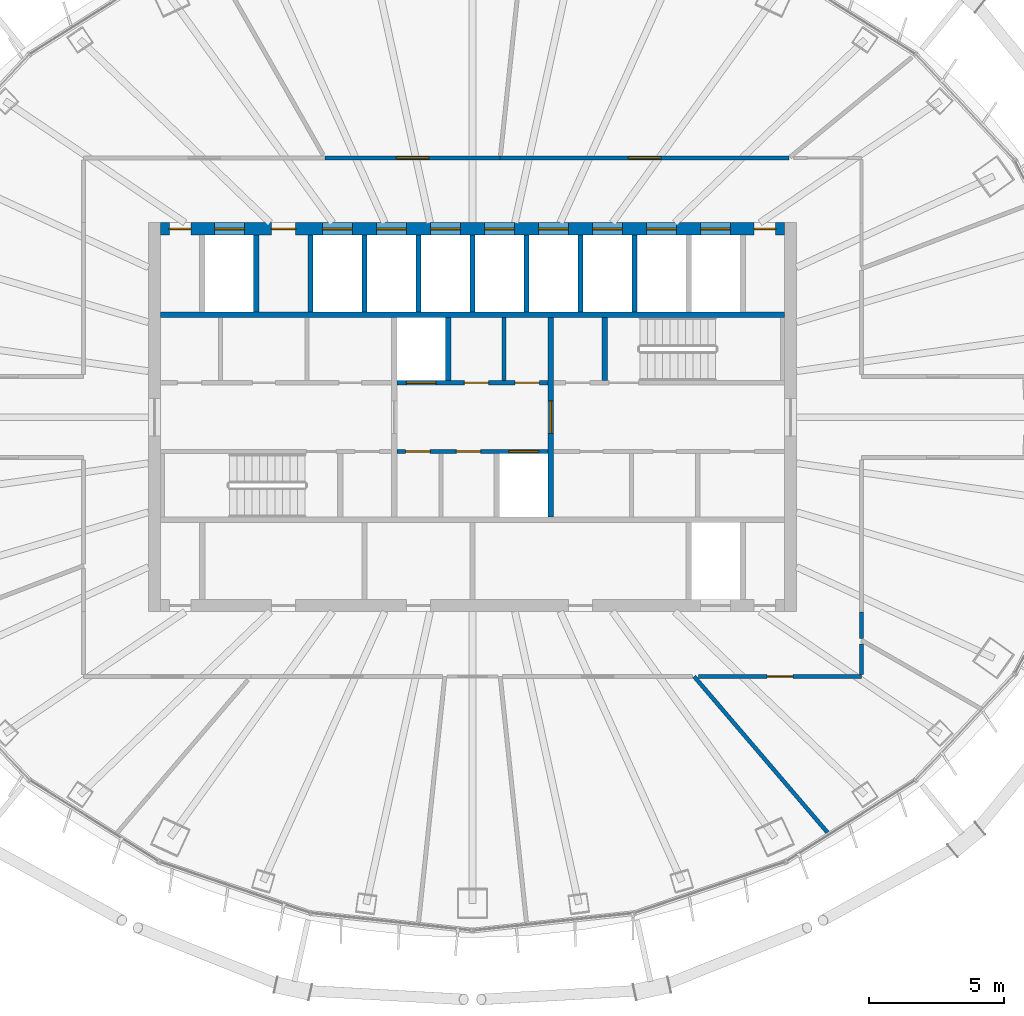
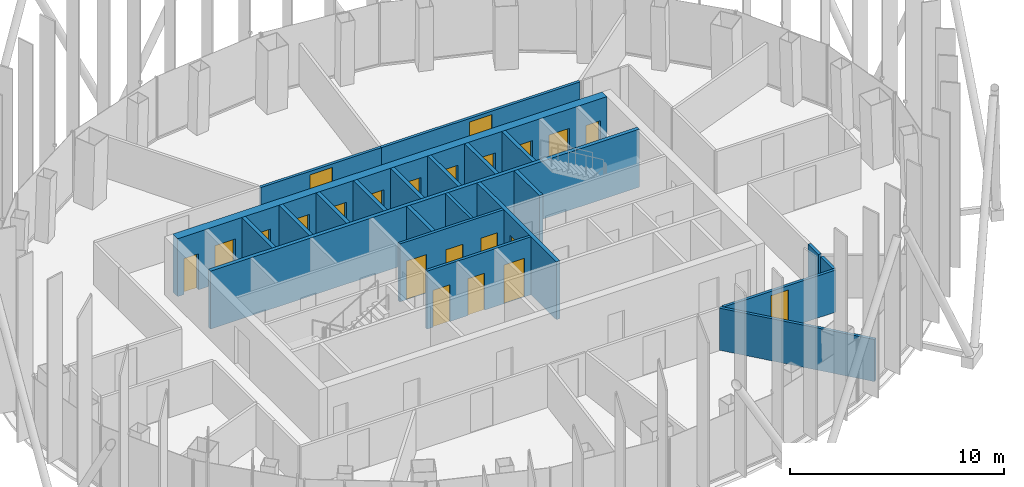
# One storey, part 11 of 19: 22 doors, 22 walls, 22 openings.
"""IFC4 building model written with IfcOpenShell, lengths in metres."""

import ifcopenshell
import ifcopenshell.guid

model = None  # the IFC model being written
_history = None  # IfcOwnerHistory: only IFC2X3 demands one
_inside = {}  # id of a spatial element -> (the spatial element, [elements in it])
_under = {}  # id of a project, library or spatial element -> (it, [spatial elements below it])
_declared = {}  # id of a project -> (the project, [libraries it declares])
_typed = {}  # id of a type object -> (the type object, [elements of that type])
_made_of = {}  # id of a material, layer set ... -> (it, [elements and type objects made of it])


def new_model(schema):
    """Start an empty IFC model of exactly this schema.

    Asked for "IFC4X3", IfcOpenShell would pick the latest addendum, in which some entities
    have other attributes; the version numbers below select the first issue.
    IFC2X3 requires an IfcOwnerHistory on every rooted entity: one is made here for all.
    """
    global model, _history
    if schema == "IFC4X3":
        model = ifcopenshell.file(schema_version=(4, 3, 0, 0))
    else:
        model = ifcopenshell.file(schema=schema)
    _inside.clear()
    _under.clear()
    _declared.clear()
    _typed.clear()
    _made_of.clear()
    _history = None
    if model.schema == "IFC2X3":
        org = make("IfcOrganization", Name="unknown")
        user = make(
            "IfcPersonAndOrganization",
            ThePerson=make("IfcPerson", FamilyName="unknown"),
            TheOrganization=org,
        )
        app = make(
            "IfcApplication",
            ApplicationDeveloper=org,
            Version="unknown",
            ApplicationFullName="unknown",
            ApplicationIdentifier="unknown",
        )
        _history = make(
            "IfcOwnerHistory",
            OwningUser=user,
            OwningApplication=app,
            ChangeAction="ADDED",
            CreationDate=0,
        )
    return model


def make(cls, **values):
    """One entity of the class cls with the attributes given. An attribute that is None is left unset."""
    return model.create_entity(
        cls, **{name: value for name, value in values.items() if value is not None}
    )


def rooted(cls, **values):
    """An entity with a GlobalId (a new one), such as an element, a storey or a relation."""
    return make(cls, GlobalId=ifcopenshell.guid.new(), OwnerHistory=_history, **values)


def si_unit(unit_type, name, prefix=None):
    """IfcSIUnit, for example si_unit("LENGTHUNIT", "METRE", prefix="MILLI")."""
    return make("IfcSIUnit", UnitType=unit_type, Prefix=prefix, Name=name)


def assignment(units):
    """IfcUnitAssignment: the units of a project."""
    return None if units is None else make("IfcUnitAssignment", Units=units)


def point(xyz):
    """IfcCartesianPoint."""
    return None if xyz is None else make("IfcCartesianPoint", Coordinates=xyz)


def direction(xyz):
    """IfcDirection."""
    return None if xyz is None else make("IfcDirection", DirectionRatios=xyz)


def frame(location, z_axis=None, x_axis=None):
    """IfcAxis2Placement3D, a coordinate frame: its origin and axes. An axis left out is left unset."""
    return make(
        "IfcAxis2Placement3D",
        Location=point(location),
        Axis=direction(z_axis),
        RefDirection=direction(x_axis),
    )


def frame_2d(location, x_axis=None):
    """IfcAxis2Placement2D, a coordinate frame in the plane: its origin and x axis."""
    return make(
        "IfcAxis2Placement2D", Location=point(location), RefDirection=direction(x_axis)
    )


def origin():
    """The frame at (0, 0, 0) with its axes left unset."""
    return frame((0.0, 0.0, 0.0))


def place(relative_to, where):
    """IfcLocalPlacement: puts the frame where relative to a parent placement (None: the world)."""
    return make(
        "IfcLocalPlacement", PlacementRelTo=relative_to, RelativePlacement=where
    )


def context(
    kind, dimensions, precision=None, world=None, true_north=None, identifier=None
):
    """IfcGeometricRepresentationContext, for example the 3D "Model" context."""
    return make(
        "IfcGeometricRepresentationContext",
        ContextIdentifier=identifier,
        ContextType=kind,
        CoordinateSpaceDimension=dimensions,
        Precision=precision,
        WorldCoordinateSystem=world,
        TrueNorth=true_north,
    )


def subcontext(parent, identifier, kind, view, scale=None):
    """IfcGeometricRepresentationSubContext, for example "Body" below "Model"."""
    return make(
        "IfcGeometricRepresentationSubContext",
        ContextIdentifier=identifier,
        ContextType=kind,
        ParentContext=parent,
        TargetScale=scale,
        TargetView=view,
    )


def project(units=None, contexts=None):
    """IfcProject with its units and contexts."""
    return rooted(
        "IfcProject",
        Name="project",
        RepresentationContexts=contexts,
        UnitsInContext=assignment(units),
    )


def spatial(cls, under=None, at=None, **own):
    """A site, building, storey or space (cls), placed at a placement, below another one or the project."""
    s = rooted(cls, ObjectPlacement=at, **own)
    if under is not None:
        _under.setdefault(under.id(), (under, []))[1].append(s)
    return s


def profile(cls, at=None, kind="AREA", **sizes):
    """A parametric profile (cls). Its sizes go by their IFC names, for example OverallWidth=200.0."""
    return make(cls, ProfileType=kind, Position=at, **sizes)


def rectangle(**sizes):
    """IfcRectangleProfileDef."""
    return profile("IfcRectangleProfileDef", **sizes)


def extrude(swept, where, along, depth):
    """IfcExtrudedAreaSolid: the profile swept, set in the frame where, extruded along a direction by depth."""
    return make(
        "IfcExtrudedAreaSolid",
        SweptArea=swept,
        Position=where,
        ExtrudedDirection=direction(along),
        Depth=depth,
    )


def shape(context_of_items, identifier, shape_type, items):
    """IfcShapeRepresentation: the items that make up one representation, for example the "Body"."""
    return make(
        "IfcShapeRepresentation",
        ContextOfItems=context_of_items,
        RepresentationIdentifier=identifier,
        RepresentationType=shape_type,
        Items=items,
    )


def material(Name=None, Category=None):
    """IfcMaterial."""
    return make("IfcMaterial", Name=Name, Category=Category)


def layer(
    of_material, thickness, ventilated=None, Name=None, Category=None, Priority=None
):
    """IfcMaterialLayer: one layer of a wall or slab, of a material (None: an air gap)."""
    return make(
        "IfcMaterialLayer",
        Material=of_material,
        LayerThickness=thickness,
        IsVentilated=ventilated,
        Name=Name,
        Category=Category,
        Priority=Priority,
    )


def layer_set(layers, Name=None):
    """IfcMaterialLayerSet."""
    return make("IfcMaterialLayerSet", MaterialLayers=layers, LayerSetName=Name)


def made_of(thing, what):
    """Note that an element or type object is made of a material, layer set ...; save() writes the relation."""
    if what is not None:
        _made_of.setdefault(what.id(), (what, []))[1].append(thing)
    return thing


def type_object(cls, material=None, **own):
    """A type object (cls), such as IfcWallType, which elements share."""
    return made_of(rooted(cls, **own), material)


def element(
    cls,
    number,
    at=None,
    inside=None,
    cuts=None,
    type_object=None,
    material=None,
    context=None,
    identifier="Body",
    shape_type=None,
    held_by="IfcProductDefinitionShape",
    body=None,
    shapes=None,
    **own,
):
    """One element of the class cls, such as IfcWall. Its Tag is "e" and its number.

    at: its placement. inside: the storey or other place that contains it. cuts: it is an
    opening in that element (IfcRelVoidsElement). A single representation is given by context,
    identifier, shape_type and body (its items); several are given by shapes. held_by: the class
    of the entity that holds the representations. save() writes the other relations.
    """
    e = rooted(cls, Tag="e%d" % number, ObjectPlacement=at, **own)
    if body is not None:
        shapes = [shape(context, identifier, shape_type, body)]
    if shapes is not None:
        e.Representation = make(held_by, Representations=shapes)
    if inside is not None:
        _inside.setdefault(inside.id(), (inside, []))[1].append(e)
    if cuts is not None:
        rooted(
            "IfcRelVoidsElement", RelatingBuildingElement=cuts, RelatedOpeningElement=e
        )
    if type_object is not None:
        _typed.setdefault(type_object.id(), (type_object, []))[1].append(e)
    return made_of(e, material)


def fill(opening, filler):
    """IfcRelFillsElement: the door or window that sits in an opening."""
    return rooted(
        "IfcRelFillsElement",
        RelatingOpeningElement=opening,
        RelatedBuildingElement=filler,
    )


def aggregate(whole, parts):
    """IfcRelAggregates: a whole, such as a stair, and the parts it consists of."""
    return rooted("IfcRelAggregates", RelatingObject=whole, RelatedObjects=parts)


def save(model, path):
    """Write the relations noted so far, then the file.

    IfcRelAggregates (storeys below a building ...), IfcRelContainedInSpatialStructure (elements
    in a storey), IfcRelDefinesByType, IfcRelAssociatesMaterial and IfcRelDeclares: one each for
    every whole, place, type object, material and project.
    """
    for whole, parts in _under.values():
        aggregate(whole, parts)
    for where, things in _inside.values():
        rooted(
            "IfcRelContainedInSpatialStructure",
            RelatedElements=things,
            RelatingStructure=where,
        )
    for kind, things in _typed.values():
        rooted("IfcRelDefinesByType", RelatedObjects=things, RelatingType=kind)
    for what, things in _made_of.values():
        rooted("IfcRelAssociatesMaterial", RelatedObjects=things, RelatingMaterial=what)
    for by, libraries in _declared.values():
        rooted("IfcRelDeclares", RelatingContext=by, RelatedDefinitions=libraries)
    model.write(path)


model = new_model("IFC4")

# Units and contexts
model_context = context("Model", 3, precision=1e-05, world=origin(), true_north=direction((0.0, 1.0)))
body_context = subcontext(model_context, "Body", "Model", "MODEL_VIEW")
ifc_project = project(units=[si_unit("LENGTHUNIT", "METRE"), si_unit("AREAUNIT", "SQUARE_METRE"), si_unit("VOLUMEUNIT", "CUBIC_METRE"), si_unit("PLANEANGLEUNIT", "RADIAN"), si_unit("MASSUNIT", "GRAM", prefix="KILO")], contexts=[model_context])

# Site, building, storey
site_placement = place(None, origin())
site = spatial("IfcSite", under=ifc_project, at=site_placement, CompositionType="ELEMENT")
building_placement = place(site_placement, origin())
building = spatial("IfcBuilding", under=site, at=building_placement, Name="Siaravel Broadcast Tower", CompositionType="ELEMENT")
storey_placement = place(building_placement, frame((0.0, 0.0, 179.300048828125)))
storey = spatial("IfcBuildingStorey", under=building, at=storey_placement, Name="L43", CompositionType="ELEMENT", Elevation=179.300048828125)

# Wall
ifc_material_1 = material(Name="Concrete blockwork", Category="masonry")
ifc_layer_1 = layer(ifc_material_1, 0.14990234375)
ifc_layer_set_1 = layer_set([ifc_layer_1], Name="Concrete blockwork")
wall_type_1 = type_object("IfcWallType", Name="Core partition 150", PredefinedType="PARTITIONING", material=ifc_layer_set_1)
wall_1_placement = place(storey_placement, frame((1.172607421875, 1.35009765625, 0.0), z_axis=(0.0, 0.0, 1.0), x_axis=(0.0, 1.0, 0.0)))
element("IfcWall", 1, at=wall_1_placement, inside=storey, type_object=wall_type_1, Name="L43 core partition PNM0", PredefinedType="PARTITIONING", context=body_context, shape_type="SweptSolid", body=[
    extrude(rectangle(XDim=2.349853515625, YDim=0.14990234375, at=frame_2d((1.1748046875, 0.0))), origin(), (0.0, 0.0, 1.0), 3.300048828125),
])

# Wall, openings, doors
ifc_material_2 = material(Name="Concrete C60/75", Category="concrete")
ifc_layer_2 = layer(ifc_material_2, 0.449951171875)
ifc_layer_set_2 = layer_set([ifc_layer_2], Name="Concrete C60/75")
wall_type_2 = type_object("IfcWallType", Name="Core wall 450", PredefinedType="SHEAR", material=ifc_layer_set_2)
wall_2_placement = place(storey_placement, frame((-11.550048828125, 6.97509765625, 0.0), z_axis=(0.0, 0.0, 1.0), x_axis=(1.0, 0.0, 0.0)))
wall_2 = element("IfcWall", 2, at=wall_2_placement, inside=storey, type_object=wall_type_2, Name="L43 core wall ON", PredefinedType="SHEAR", context=body_context, shape_type="SweptSolid", body=[
    extrude(rectangle(XDim=23.10009765625, YDim=0.449951171875, at=frame_2d((11.550048828125, 0.0))), origin(), (0.0, 0.0, 1.0), 3.300048828125),
])
opening_1_placement = place(wall_2_placement, frame((2.0, 0.0, 0.0)))
opening_1 = element("IfcOpeningElement", 3, at=opening_1_placement, cuts=wall_2, Name="Opening LD-SV2-L43", PredefinedType="OPENING", context=body_context, shape_type="SweptSolid", body=[
    extrude(rectangle(XDim=1.10009765625, YDim=2.199951171875, at=frame_2d((0.550048828125, 1.10009765625))), frame((0.0, 0.23486328125, 0.0), z_axis=(0.0, -1.0, 0.0), x_axis=(1.0, 0.0, 0.0)), (0.0, 0.0, 1.0), 0.469970703125),
])
opening_2_placement = place(wall_2_placement, frame((6.0, 0.0, 0.0)))
opening_2 = element("IfcOpeningElement", 4, at=opening_2_placement, cuts=wall_2, Name="Opening LD-HP1-L43", PredefinedType="OPENING", context=body_context, shape_type="SweptSolid", body=[
    extrude(rectangle(XDim=1.10009765625, YDim=2.199951171875, at=frame_2d((0.550048828125, 1.10009765625))), frame((0.0, 0.23486328125, 0.0), z_axis=(0.0, -1.0, 0.0), x_axis=(1.0, 0.0, 0.0)), (0.0, 0.0, 1.0), 0.469970703125),
])
opening_3_placement = place(wall_2_placement, frame((8.0, 0.0, 0.0)))
opening_3 = element("IfcOpeningElement", 5, at=opening_3_placement, cuts=wall_2, Name="Opening LD-HP2-L43", PredefinedType="OPENING", context=body_context, shape_type="SweptSolid", body=[
    extrude(rectangle(XDim=1.10009765625, YDim=2.199951171875, at=frame_2d((0.550048828125, 1.10009765625))), frame((0.0, 0.23486328125, 0.0), z_axis=(0.0, -1.0, 0.0), x_axis=(1.0, 0.0, 0.0)), (0.0, 0.0, 1.0), 0.469970703125),
])
opening_4_placement = place(wall_2_placement, frame((10.0, 0.0, 0.0)))
opening_4 = element("IfcOpeningElement", 6, at=opening_4_placement, cuts=wall_2, Name="Opening LD-HP3-L43", PredefinedType="OPENING", context=body_context, shape_type="SweptSolid", body=[
    extrude(rectangle(XDim=1.10009765625, YDim=2.199951171875, at=frame_2d((0.550048828125, 1.10009765625))), frame((0.0, 0.23486328125, 0.0), z_axis=(0.0, -1.0, 0.0), x_axis=(1.0, 0.0, 0.0)), (0.0, 0.0, 1.0), 0.469970703125),
])
opening_5_placement = place(wall_2_placement, frame((12.0, 0.0, 0.0)))
opening_5 = element("IfcOpeningElement", 7, at=opening_5_placement, cuts=wall_2, Name="Opening LD-HP4-L43", PredefinedType="OPENING", context=body_context, shape_type="SweptSolid", body=[
    extrude(rectangle(XDim=1.10009765625, YDim=2.199951171875, at=frame_2d((0.550048828125, 1.10009765625))), frame((0.0, 0.23486328125, 0.0), z_axis=(0.0, -1.0, 0.0), x_axis=(1.0, 0.0, 0.0)), (0.0, 0.0, 1.0), 0.469970703125),
])
opening_6_placement = place(wall_2_placement, frame((14.0, 0.0, 0.0)))
opening_6 = element("IfcOpeningElement", 8, at=opening_6_placement, cuts=wall_2, Name="Opening LD-HP5-L43", PredefinedType="OPENING", context=body_context, shape_type="SweptSolid", body=[
    extrude(rectangle(XDim=1.10009765625, YDim=2.199951171875, at=frame_2d((0.550048828125, 1.10009765625))), frame((0.0, 0.23486328125, 0.0), z_axis=(0.0, -1.0, 0.0), x_axis=(1.0, 0.0, 0.0)), (0.0, 0.0, 1.0), 0.469970703125),
])
opening_7_placement = place(wall_2_placement, frame((16.0, 0.0, 0.0)))
opening_7 = element("IfcOpeningElement", 9, at=opening_7_placement, cuts=wall_2, Name="Opening LD-HP6-L43", PredefinedType="OPENING", context=body_context, shape_type="SweptSolid", body=[
    extrude(rectangle(XDim=1.10009765625, YDim=2.199951171875, at=frame_2d((0.550048828125, 1.10009765625))), frame((0.0, 0.23486328125, 0.0), z_axis=(0.0, -1.0, 0.0), x_axis=(1.0, 0.0, 0.0)), (0.0, 0.0, 1.0), 0.469970703125),
])
opening_8_placement = place(wall_2_placement, frame((18.0, 0.0, 0.0)))
opening_8 = element("IfcOpeningElement", 10, at=opening_8_placement, cuts=wall_2, Name="Opening LD-HP7-L43", PredefinedType="OPENING", context=body_context, shape_type="SweptSolid", body=[
    extrude(rectangle(XDim=1.10009765625, YDim=2.199951171875, at=frame_2d((0.550048828125, 1.10009765625))), frame((0.0, 0.23486328125, 0.0), z_axis=(0.0, -1.0, 0.0), x_axis=(1.0, 0.0, 0.0)), (0.0, 0.0, 1.0), 0.469970703125),
])
opening_9_placement = place(wall_2_placement, frame((20.0, 0.0, 0.0)))
opening_9 = element("IfcOpeningElement", 11, at=opening_9_placement, cuts=wall_2, Name="Opening LD-HP8-L43", PredefinedType="OPENING", context=body_context, shape_type="SweptSolid", body=[
    extrude(rectangle(XDim=1.10009765625, YDim=2.199951171875, at=frame_2d((0.550048828125, 1.10009765625))), frame((0.0, 0.23486328125, 0.0), z_axis=(0.0, -1.0, 0.0), x_axis=(1.0, 0.0, 0.0)), (0.0, 0.0, 1.0), 0.469970703125),
])
opening_10_placement = place(wall_2_placement, frame((4.10009765625, 0.0, 0.0)))
opening_10 = element("IfcOpeningElement", 12, at=opening_10_placement, cuts=wall_2, Name="Opening L43-DFN1", PredefinedType="OPENING", context=body_context, shape_type="SweptSolid", body=[
    extrude(rectangle(XDim=0.89990234375, YDim=2.10009765625, at=frame_2d((0.449951171875, 1.050048828125))), frame((0.0, 0.23486328125, 0.0), z_axis=(0.0, -1.0, 0.0), x_axis=(1.0, 0.0, 0.0)), (0.0, 0.0, 1.0), 0.469970703125),
])
opening_11_placement = place(wall_2_placement, frame((0.324951171875, 0.0, 0.0)))
opening_11 = element("IfcOpeningElement", 13, at=opening_11_placement, cuts=wall_2, Name="Opening L43-DRNW", PredefinedType="OPENING", context=body_context, shape_type="SweptSolid", body=[
    extrude(rectangle(XDim=0.800048828125, YDim=2.050048828125, at=frame_2d((0.39990234375, 1.02490234375))), frame((0.0, 0.23486328125, 0.0), z_axis=(0.0, -1.0, 0.0), x_axis=(1.0, 0.0, 0.0)), (0.0, 0.0, 1.0), 0.469970703125),
])
opening_12_placement = place(wall_2_placement, frame((21.97509765625, 0.0, 0.0)))
opening_12 = element("IfcOpeningElement", 14, at=opening_12_placement, cuts=wall_2, Name="Opening L43-DRNE", PredefinedType="OPENING", context=body_context, shape_type="SweptSolid", body=[
    extrude(rectangle(XDim=0.800048828125, YDim=2.050048828125, at=frame_2d((0.39990234375, 1.02490234375))), frame((0.0, 0.23486328125, 0.0), z_axis=(0.0, -1.0, 0.0), x_axis=(1.0, 0.0, 0.0)), (0.0, 0.0, 1.0), 0.469970703125),
])
ifc_material_3 = material(Name="Timber veneer", Category="wood")
door_type_1 = type_object("IfcDoorType", Name="Core room door 900", OperationType="SINGLE_SWING_LEFT", PredefinedType="DOOR", material=ifc_material_3)
door_1_placement = place(opening_10_placement, origin())
door_1 = element("IfcDoor", 15, at=door_1_placement, inside=storey, type_object=door_type_1, Name="L43 door DFN1", OperationType="SINGLE_SWING_LEFT", OverallHeight=2.10009765625, OverallWidth=0.89990234375, PredefinedType="DOOR", context=body_context, shape_type="SweptSolid", body=[
    extrude(rectangle(XDim=0.89990234375, YDim=2.10009765625, at=frame_2d((0.449951171875, 1.050048828125))), frame((0.0, 0.02490234375, 0.0), z_axis=(0.0, -1.0, 0.0), x_axis=(1.0, 0.0, 0.0)), (0.0, 0.0, 1.0), 0.050048828125),
])
fill(opening_10, door_1)
ifc_material_4 = material(Name="Stainless steel 316L", Category="steel")
door_type_2 = type_object("IfcDoorType", Name="Lift landing door 1100", OperationType="DOUBLE_DOOR_SLIDING", PredefinedType="DOOR", material=ifc_material_4)
door_2_placement = place(opening_2_placement, origin())
door_2 = element("IfcDoor", 16, at=door_2_placement, inside=storey, type_object=door_type_2, Name="Landing door HP1 L43", OperationType="DOUBLE_DOOR_SLIDING", OverallHeight=2.199951171875, OverallWidth=1.10009765625, PredefinedType="DOOR", context=body_context, shape_type="SweptSolid", body=[
    extrude(rectangle(XDim=1.10009765625, YDim=2.199951171875, at=frame_2d((0.550048828125, 1.10009765625))), frame((0.0, 0.02490234375, 0.0), z_axis=(0.0, -1.0, 0.0), x_axis=(1.0, 0.0, 0.0)), (0.0, 0.0, 1.0), 0.050048828125),
])
fill(opening_2, door_2)
door_3_placement = place(opening_3_placement, origin())
door_3 = element("IfcDoor", 17, at=door_3_placement, inside=storey, type_object=door_type_2, Name="Landing door HP2 L43", OperationType="DOUBLE_DOOR_SLIDING", OverallHeight=2.199951171875, OverallWidth=1.10009765625, PredefinedType="DOOR", context=body_context, shape_type="SweptSolid", body=[
    extrude(rectangle(XDim=1.10009765625, YDim=2.199951171875, at=frame_2d((0.550048828125, 1.10009765625))), frame((0.0, 0.02490234375, 0.0), z_axis=(0.0, -1.0, 0.0), x_axis=(1.0, 0.0, 0.0)), (0.0, 0.0, 1.0), 0.050048828125),
])
fill(opening_3, door_3)
door_4_placement = place(opening_4_placement, origin())
door_4 = element("IfcDoor", 18, at=door_4_placement, inside=storey, type_object=door_type_2, Name="Landing door HP3 L43", OperationType="DOUBLE_DOOR_SLIDING", OverallHeight=2.199951171875, OverallWidth=1.10009765625, PredefinedType="DOOR", context=body_context, shape_type="SweptSolid", body=[
    extrude(rectangle(XDim=1.10009765625, YDim=2.199951171875, at=frame_2d((0.550048828125, 1.10009765625))), frame((0.0, 0.02490234375, 0.0), z_axis=(0.0, -1.0, 0.0), x_axis=(1.0, 0.0, 0.0)), (0.0, 0.0, 1.0), 0.050048828125),
])
fill(opening_4, door_4)
door_5_placement = place(opening_5_placement, origin())
door_5 = element("IfcDoor", 19, at=door_5_placement, inside=storey, type_object=door_type_2, Name="Landing door HP4 L43", OperationType="DOUBLE_DOOR_SLIDING", OverallHeight=2.199951171875, OverallWidth=1.10009765625, PredefinedType="DOOR", context=body_context, shape_type="SweptSolid", body=[
    extrude(rectangle(XDim=1.10009765625, YDim=2.199951171875, at=frame_2d((0.550048828125, 1.10009765625))), frame((0.0, 0.02490234375, 0.0), z_axis=(0.0, -1.0, 0.0), x_axis=(1.0, 0.0, 0.0)), (0.0, 0.0, 1.0), 0.050048828125),
])
fill(opening_5, door_5)
door_6_placement = place(opening_6_placement, origin())
door_6 = element("IfcDoor", 20, at=door_6_placement, inside=storey, type_object=door_type_2, Name="Landing door HP5 L43", OperationType="DOUBLE_DOOR_SLIDING", OverallHeight=2.199951171875, OverallWidth=1.10009765625, PredefinedType="DOOR", context=body_context, shape_type="SweptSolid", body=[
    extrude(rectangle(XDim=1.10009765625, YDim=2.199951171875, at=frame_2d((0.550048828125, 1.10009765625))), frame((0.0, 0.02490234375, 0.0), z_axis=(0.0, -1.0, 0.0), x_axis=(1.0, 0.0, 0.0)), (0.0, 0.0, 1.0), 0.050048828125),
])
fill(opening_6, door_6)
door_7_placement = place(opening_7_placement, origin())
door_7 = element("IfcDoor", 21, at=door_7_placement, inside=storey, type_object=door_type_2, Name="Landing door HP6 L43", OperationType="DOUBLE_DOOR_SLIDING", OverallHeight=2.199951171875, OverallWidth=1.10009765625, PredefinedType="DOOR", context=body_context, shape_type="SweptSolid", body=[
    extrude(rectangle(XDim=1.10009765625, YDim=2.199951171875, at=frame_2d((0.550048828125, 1.10009765625))), frame((0.0, 0.02490234375, 0.0), z_axis=(0.0, -1.0, 0.0), x_axis=(1.0, 0.0, 0.0)), (0.0, 0.0, 1.0), 0.050048828125),
])
fill(opening_7, door_7)
door_8_placement = place(opening_8_placement, origin())
door_8 = element("IfcDoor", 22, at=door_8_placement, inside=storey, type_object=door_type_2, Name="Landing door HP7 L43", OperationType="DOUBLE_DOOR_SLIDING", OverallHeight=2.199951171875, OverallWidth=1.10009765625, PredefinedType="DOOR", context=body_context, shape_type="SweptSolid", body=[
    extrude(rectangle(XDim=1.10009765625, YDim=2.199951171875, at=frame_2d((0.550048828125, 1.10009765625))), frame((0.0, 0.02490234375, 0.0), z_axis=(0.0, -1.0, 0.0), x_axis=(1.0, 0.0, 0.0)), (0.0, 0.0, 1.0), 0.050048828125),
])
fill(opening_8, door_8)
door_9_placement = place(opening_9_placement, origin())
door_9 = element("IfcDoor", 23, at=door_9_placement, inside=storey, type_object=door_type_2, Name="Landing door HP8 L43", OperationType="DOUBLE_DOOR_SLIDING", OverallHeight=2.199951171875, OverallWidth=1.10009765625, PredefinedType="DOOR", context=body_context, shape_type="SweptSolid", body=[
    extrude(rectangle(XDim=1.10009765625, YDim=2.199951171875, at=frame_2d((0.550048828125, 1.10009765625))), frame((0.0, 0.02490234375, 0.0), z_axis=(0.0, -1.0, 0.0), x_axis=(1.0, 0.0, 0.0)), (0.0, 0.0, 1.0), 0.050048828125),
])
fill(opening_9, door_9)
ifc_material_5 = material(Name="Steel", Category="steel")
door_type_3 = type_object("IfcDoorType", Name="Riser door 800", OperationType="SINGLE_SWING_LEFT", PredefinedType="DOOR", material=ifc_material_5)
door_10_placement = place(opening_11_placement, origin())
door_10 = element("IfcDoor", 24, at=door_10_placement, inside=storey, type_object=door_type_3, Name="L43 door DRNW", OperationType="SINGLE_SWING_LEFT", OverallHeight=2.050048828125, OverallWidth=0.800048828125, PredefinedType="DOOR", context=body_context, shape_type="SweptSolid", body=[
    extrude(rectangle(XDim=0.800048828125, YDim=2.050048828125, at=frame_2d((0.39990234375, 1.02490234375))), frame((0.0, 0.02490234375, 0.0), z_axis=(0.0, -1.0, 0.0), x_axis=(1.0, 0.0, 0.0)), (0.0, 0.0, 1.0), 0.050048828125),
])
fill(opening_11, door_10)
door_11_placement = place(opening_12_placement, origin())
door_11 = element("IfcDoor", 25, at=door_11_placement, inside=storey, type_object=door_type_3, Name="L43 door DRNE", OperationType="SINGLE_SWING_LEFT", OverallHeight=2.050048828125, OverallWidth=0.800048828125, PredefinedType="DOOR", context=body_context, shape_type="SweptSolid", body=[
    extrude(rectangle(XDim=0.800048828125, YDim=2.050048828125, at=frame_2d((0.39990234375, 1.02490234375))), frame((0.0, 0.02490234375, 0.0), z_axis=(0.0, -1.0, 0.0), x_axis=(1.0, 0.0, 0.0)), (0.0, 0.0, 1.0), 0.050048828125),
])
fill(opening_12, door_11)
door_type_4 = type_object("IfcDoorType", Name="Service lift landing door 1100", OperationType="DOUBLE_DOOR_SLIDING", PredefinedType="DOOR", material=ifc_material_4)
door_12_placement = place(opening_1_placement, origin())
door_12 = element("IfcDoor", 26, at=door_12_placement, inside=storey, type_object=door_type_4, Name="Landing door SV2 L43", OperationType="DOUBLE_DOOR_SLIDING", OverallHeight=2.199951171875, OverallWidth=1.10009765625, PredefinedType="DOOR", context=body_context, shape_type="SweptSolid", body=[
    extrude(rectangle(XDim=1.10009765625, YDim=2.199951171875, at=frame_2d((0.550048828125, 1.10009765625))), frame((0.0, 0.02490234375, 0.0), z_axis=(0.0, -1.0, 0.0), x_axis=(1.0, 0.0, 0.0)), (0.0, 0.0, 1.0), 0.050048828125),
])
fill(opening_1, door_12)

# Wall, opening, door
ifc_material_6 = material(Name="Gypsum board partition", Category="gypsum")
ifc_layer_3 = layer(ifc_material_6, 0.14990234375)
ifc_layer_set_3 = layer_set([ifc_layer_3], Name="Gypsum board partition")
wall_type_3 = type_object("IfcWallType", Name="Corridor wall 150", PredefinedType="PARTITIONING", material=ifc_layer_set_3)
wall_3_placement = place(storey_placement, frame((11.719970703125, 9.60009765625, 0.0), z_axis=(0.0, 0.0, 1.0), x_axis=(-1.0, 0.0, 0.0)))
wall_3 = element("IfcWall", 27, at=wall_3_placement, inside=storey, type_object=wall_type_3, Name="L43 partition 1", PredefinedType="PARTITIONING", context=body_context, shape_type="SweptSolid", body=[
    extrude(rectangle(XDim=10.694580078125, YDim=0.14990234375, at=frame_2d((5.34716796875, 0.0))), origin(), (0.0, 0.0, 1.0), 2.39990234375),
])
opening_13_placement = place(wall_3_placement, frame((4.747314453125, 0.0, 0.0)))
opening_13 = element("IfcOpeningElement", 28, at=opening_13_placement, cuts=wall_3, Name="Opening L43-006", PredefinedType="OPENING", context=body_context, shape_type="SweptSolid", body=[
    extrude(rectangle(XDim=1.199951171875, YDim=2.199951171875, at=frame_2d((0.60009765625, 1.10009765625))), frame((0.0, 0.0849609375, 0.0), z_axis=(0.0, -1.0, 0.0), x_axis=(1.0, 0.0, 0.0)), (0.0, 0.0, 1.0), 0.169921875),
])
door_type_5 = type_object("IfcDoorType", Name="Office double door 1200", OperationType="DOUBLE_DOOR_SINGLE_SWING", PredefinedType="DOOR", material=ifc_material_3)
door_13_placement = place(opening_13_placement, origin())
door_13 = element("IfcDoor", 29, at=door_13_placement, inside=storey, type_object=door_type_5, Name="L43 door to Open plan office", OperationType="DOUBLE_DOOR_SINGLE_SWING", OverallHeight=2.199951171875, OverallWidth=1.199951171875, PredefinedType="DOOR", context=body_context, shape_type="SweptSolid", body=[
    extrude(rectangle(XDim=1.199951171875, YDim=2.199951171875, at=frame_2d((0.60009765625, 1.10009765625))), frame((0.0, 0.02490234375, 0.0), z_axis=(0.0, -1.0, 0.0), x_axis=(1.0, 0.0, 0.0)), (0.0, 0.0, 1.0), 0.050048828125),
])
fill(opening_13, door_13)

wall_4_placement = place(storey_placement, frame((1.025390625, 9.60009765625, 0.0), z_axis=(0.0, 0.0, 1.0), x_axis=(-1.0, 0.0, 0.0)))
wall_4 = element("IfcWall", 30, at=wall_4_placement, inside=storey, type_object=wall_type_3, Name="L43 partition 12", PredefinedType="PARTITIONING", context=body_context, shape_type="SweptSolid", body=[
    extrude(rectangle(XDim=6.490478515625, YDim=0.14990234375, at=frame_2d((3.2451171875, 0.0))), origin(), (0.0, 0.0, 1.0), 2.39990234375),
])
opening_14_placement = place(wall_4_placement, frame((2.645263671875, 0.0, 0.0)))
opening_14 = element("IfcOpeningElement", 31, at=opening_14_placement, cuts=wall_4, Name="Opening L43-007", PredefinedType="OPENING", context=body_context, shape_type="SweptSolid", body=[
    extrude(rectangle(XDim=1.199951171875, YDim=2.199951171875, at=frame_2d((0.60009765625, 1.10009765625))), frame((0.0, 0.0849609375, 0.0), z_axis=(0.0, -1.0, 0.0), x_axis=(1.0, 0.0, 0.0)), (0.0, 0.0, 1.0), 0.169921875),
])
door_14_placement = place(opening_14_placement, origin())
door_14 = element("IfcDoor", 32, at=door_14_placement, inside=storey, type_object=door_type_5, Name="L43 door to Open plan office", OperationType="DOUBLE_DOOR_SINGLE_SWING", OverallHeight=2.199951171875, OverallWidth=1.199951171875, PredefinedType="DOOR", context=body_context, shape_type="SweptSolid", body=[
    extrude(rectangle(XDim=1.199951171875, YDim=2.199951171875, at=frame_2d((0.60009765625, 1.10009765625))), frame((0.0, 0.02490234375, 0.0), z_axis=(0.0, -1.0, 0.0), x_axis=(1.0, 0.0, 0.0)), (0.0, 0.0, 1.0), 0.050048828125),
])
fill(opening_14, door_14)

wall_5_placement = place(storey_placement, frame((8.37109375, -9.60009765625, 0.0), z_axis=(0.0, 0.0, 1.0), x_axis=(1.0, 0.0, 0.0)))
wall_5 = element("IfcWall", 33, at=wall_5_placement, inside=storey, type_object=wall_type_3, Name="L43 partition 14", PredefinedType="PARTITIONING", context=body_context, shape_type="SweptSolid", body=[
    extrude(rectangle(XDim=6.02880859375, YDim=0.14990234375, at=frame_2d((3.014404296875, 0.0))), origin(), (0.0, 0.0, 1.0), 2.39990234375),
])
opening_15_placement = place(wall_5_placement, frame((2.539306640625, 0.0, 0.0)))
opening_15 = element("IfcOpeningElement", 34, at=opening_15_placement, cuts=wall_5, Name="Opening L43-002", PredefinedType="OPENING", context=body_context, shape_type="SweptSolid", body=[
    extrude(rectangle(XDim=0.949951171875, YDim=2.14990234375, at=frame_2d((0.47509765625, 1.074951171875))), frame((0.0, 0.0849609375, 0.0), z_axis=(0.0, -1.0, 0.0), x_axis=(1.0, 0.0, 0.0)), (0.0, 0.0, 1.0), 0.169921875),
])
door_type_6 = type_object("IfcDoorType", Name="Office door 950", OperationType="SINGLE_SWING_LEFT", PredefinedType="DOOR", material=ifc_material_3)
door_15_placement = place(opening_15_placement, origin())
door_15 = element("IfcDoor", 35, at=door_15_placement, inside=storey, type_object=door_type_6, Name="L43 door to Office", OperationType="SINGLE_SWING_RIGHT", OverallHeight=2.14990234375, OverallWidth=0.949951171875, PredefinedType="DOOR", context=body_context, shape_type="SweptSolid", body=[
    extrude(rectangle(XDim=0.949951171875, YDim=2.14990234375, at=frame_2d((0.47509765625, 1.074951171875))), frame((0.0, 0.02490234375, 0.0), z_axis=(0.0, -1.0, 0.0), x_axis=(1.0, 0.0, 0.0)), (0.0, 0.0, 1.0), 0.050048828125),
])
fill(opening_15, door_15)

# Walls
wall_6_placement = place(storey_placement, frame((14.39990234375, -9.52294921875, 0.0), z_axis=(0.0, 0.0, 1.0), x_axis=(0.0, 1.0, 0.0)))
element("IfcWall", 36, at=wall_6_placement, inside=storey, type_object=wall_type_3, Name="L43 partition 39", PredefinedType="PARTITIONING", context=body_context, shape_type="SweptSolid", body=[
    extrude(rectangle(XDim=1.132568359375, YDim=0.14990234375, at=frame_2d((0.56640625, 0.0))), origin(), (0.0, 0.0, 1.0), 2.39990234375),
])
wall_7_placement = place(storey_placement, frame((14.39990234375, -8.19189453125, 0.0), z_axis=(0.0, 0.0, 1.0), x_axis=(0.0, 1.0, 0.0)))
element("IfcWall", 37, at=wall_7_placement, inside=storey, type_object=wall_type_3, Name="L43 partition 40", PredefinedType="PARTITIONING", context=body_context, shape_type="SweptSolid", body=[
    extrude(rectangle(XDim=0.97900390625, YDim=0.14990234375, at=frame_2d((0.489501953125, 0.0))), origin(), (0.0, 0.0, 1.0), 2.39990234375),
])
ifc_layer_4 = layer(ifc_material_6, 0.14990234375)
ifc_layer_set_4 = layer_set([ifc_layer_4], Name="Gypsum board partition")
wall_type_4 = type_object("IfcWallType", Name="Room partition 150", PredefinedType="PARTITIONING", material=ifc_layer_set_4)
wall_8_placement = place(storey_placement, frame((13.1962890625, -15.437255859375, 0.0), z_axis=(0.0, 0.0, 1.0), x_axis=(-0.649793296, 0.76011096, 0.0)))
element("IfcWall", 38, at=wall_8_placement, inside=storey, type_object=wall_type_4, Name="L43 partition 7", PredefinedType="PARTITIONING", context=body_context, shape_type="SweptSolid", body=[
    extrude(rectangle(XDim=7.679443359375, YDim=0.14990234375, at=frame_2d((3.83984375, 0.0))), origin(), (0.0, 0.0, 1.0), 2.39990234375),
])

# Wall, openings, doors
ifc_layer_5 = layer(ifc_material_2, 0.14990234375)
ifc_layer_set_5 = layer_set([ifc_layer_5], Name="Concrete C60/75")
wall_type_5 = type_object("IfcWallType", Name="Shaft wall 150", PredefinedType="SHEAR", material=ifc_layer_set_5)
wall_9_placement = place(storey_placement, frame((-2.800048828125, -1.27490234375, 0.0), z_axis=(0.0, 0.0, 1.0), x_axis=(1.0, 0.0, 0.0)))
wall_9 = element("IfcWall", 39, at=wall_9_placement, inside=storey, type_object=wall_type_5, Name="L43 core wall CSM", PredefinedType="SHEAR", context=body_context, shape_type="SweptSolid", body=[
    extrude(rectangle(XDim=5.60009765625, YDim=0.14990234375, at=frame_2d((2.800048828125, 0.0))), origin(), (0.0, 0.0, 1.0), 3.300048828125),
])
opening_16_placement = place(wall_9_placement, frame((4.14990234375, 0.0, 0.0)))
opening_16 = element("IfcOpeningElement", 40, at=opening_16_placement, cuts=wall_9, Name="Opening LD-FL2-L43", PredefinedType="OPENING", context=body_context, shape_type="SweptSolid", body=[
    extrude(rectangle(XDim=1.10009765625, YDim=2.199951171875, at=frame_2d((0.550048828125, 1.10009765625))), frame((0.0, 0.0849609375, 0.0), z_axis=(0.0, -1.0, 0.0), x_axis=(1.0, 0.0, 0.0)), (0.0, 0.0, 1.0), 0.169921875),
])
opening_17_placement = place(wall_9_placement, frame((0.326416015625, 0.0, 0.0)))
opening_17 = element("IfcOpeningElement", 41, at=opening_17_placement, cuts=wall_9, Name="Opening L43-DSM0", PredefinedType="OPENING", context=body_context, shape_type="SweptSolid", body=[
    extrude(rectangle(XDim=0.89990234375, YDim=2.10009765625, at=frame_2d((0.449951171875, 1.050048828125))), frame((0.0, 0.0849609375, 0.0), z_axis=(0.0, -1.0, 0.0), x_axis=(1.0, 0.0, 0.0)), (0.0, 0.0, 1.0), 0.169921875),
])
opening_18_placement = place(wall_9_placement, frame((2.201416015625, 0.0, 0.0)))
opening_18 = element("IfcOpeningElement", 42, at=opening_18_placement, cuts=wall_9, Name="Opening L43-DSM1", PredefinedType="OPENING", context=body_context, shape_type="SweptSolid", body=[
    extrude(rectangle(XDim=0.89990234375, YDim=2.10009765625, at=frame_2d((0.449951171875, 1.050048828125))), frame((0.0, 0.0849609375, 0.0), z_axis=(0.0, -1.0, 0.0), x_axis=(1.0, 0.0, 0.0)), (0.0, 0.0, 1.0), 0.169921875),
])
door_16_placement = place(opening_17_placement, origin())
door_16 = element("IfcDoor", 43, at=door_16_placement, inside=storey, type_object=door_type_1, Name="L43 door DSM0", OperationType="SINGLE_SWING_LEFT", OverallHeight=2.10009765625, OverallWidth=0.89990234375, PredefinedType="DOOR", context=body_context, shape_type="SweptSolid", body=[
    extrude(rectangle(XDim=0.89990234375, YDim=2.10009765625, at=frame_2d((0.449951171875, 1.050048828125))), frame((0.0, 0.02490234375, 0.0), z_axis=(0.0, -1.0, 0.0), x_axis=(1.0, 0.0, 0.0)), (0.0, 0.0, 1.0), 0.050048828125),
])
fill(opening_17, door_16)
door_17_placement = place(opening_18_placement, origin())
door_17 = element("IfcDoor", 44, at=door_17_placement, inside=storey, type_object=door_type_1, Name="L43 door DSM1", OperationType="SINGLE_SWING_LEFT", OverallHeight=2.10009765625, OverallWidth=0.89990234375, PredefinedType="DOOR", context=body_context, shape_type="SweptSolid", body=[
    extrude(rectangle(XDim=0.89990234375, YDim=2.10009765625, at=frame_2d((0.449951171875, 1.050048828125))), frame((0.0, 0.02490234375, 0.0), z_axis=(0.0, -1.0, 0.0), x_axis=(1.0, 0.0, 0.0)), (0.0, 0.0, 1.0), 0.050048828125),
])
fill(opening_18, door_17)
door_type_7 = type_object("IfcDoorType", Name="Firefighting lift landing door 1100", OperationType="DOUBLE_DOOR_SLIDING", PredefinedType="DOOR", material=ifc_material_4)
door_18_placement = place(opening_16_placement, origin())
door_18 = element("IfcDoor", 45, at=door_18_placement, inside=storey, type_object=door_type_7, Name="Landing door FL2 L43", OperationType="DOUBLE_DOOR_SLIDING", OverallHeight=2.199951171875, OverallWidth=1.10009765625, PredefinedType="DOOR", context=body_context, shape_type="SweptSolid", body=[
    extrude(rectangle(XDim=1.10009765625, YDim=2.199951171875, at=frame_2d((0.550048828125, 1.10009765625))), frame((0.0, 0.02490234375, 0.0), z_axis=(0.0, -1.0, 0.0), x_axis=(1.0, 0.0, 0.0)), (0.0, 0.0, 1.0), 0.050048828125),
])
fill(opening_16, door_18)

wall_10_placement = place(storey_placement, frame((-2.800048828125, 1.27490234375, 0.0), z_axis=(0.0, 0.0, 1.0), x_axis=(1.0, 0.0, 0.0)))
wall_10 = element("IfcWall", 46, at=wall_10_placement, inside=storey, type_object=wall_type_5, Name="L43 core wall CNM", PredefinedType="SHEAR", context=body_context, shape_type="SweptSolid", body=[
    extrude(rectangle(XDim=5.60009765625, YDim=0.14990234375, at=frame_2d((2.800048828125, 0.0))), origin(), (0.0, 0.0, 1.0), 3.300048828125),
])
opening_19_placement = place(wall_10_placement, frame((0.35009765625, 0.0, 0.0)))
opening_19 = element("IfcOpeningElement", 47, at=opening_19_placement, cuts=wall_10, Name="Opening LD-FL1-L43", PredefinedType="OPENING", context=body_context, shape_type="SweptSolid", body=[
    extrude(rectangle(XDim=1.10009765625, YDim=2.199951171875, at=frame_2d((0.550048828125, 1.10009765625))), frame((0.0, 0.0849609375, 0.0), z_axis=(0.0, -1.0, 0.0), x_axis=(1.0, 0.0, 0.0)), (0.0, 0.0, 1.0), 0.169921875),
])
opening_20_placement = place(wall_10_placement, frame((2.498779296875, 0.0, 0.0)))
opening_20 = element("IfcOpeningElement", 48, at=opening_20_placement, cuts=wall_10, Name="Opening L43-DNM0", PredefinedType="OPENING", context=body_context, shape_type="SweptSolid", body=[
    extrude(rectangle(XDim=0.89990234375, YDim=2.10009765625, at=frame_2d((0.449951171875, 1.050048828125))), frame((0.0, 0.0849609375, 0.0), z_axis=(0.0, -1.0, 0.0), x_axis=(1.0, 0.0, 0.0)), (0.0, 0.0, 1.0), 0.169921875),
])
opening_21_placement = place(wall_10_placement, frame((4.373779296875, 0.0, 0.0)))
opening_21 = element("IfcOpeningElement", 49, at=opening_21_placement, cuts=wall_10, Name="Opening L43-DNM1", PredefinedType="OPENING", context=body_context, shape_type="SweptSolid", body=[
    extrude(rectangle(XDim=0.89990234375, YDim=2.10009765625, at=frame_2d((0.449951171875, 1.050048828125))), frame((0.0, 0.0849609375, 0.0), z_axis=(0.0, -1.0, 0.0), x_axis=(1.0, 0.0, 0.0)), (0.0, 0.0, 1.0), 0.169921875),
])
door_19_placement = place(opening_20_placement, origin())
door_19 = element("IfcDoor", 50, at=door_19_placement, inside=storey, type_object=door_type_1, Name="L43 door DNM0", OperationType="SINGLE_SWING_LEFT", OverallHeight=2.10009765625, OverallWidth=0.89990234375, PredefinedType="DOOR", context=body_context, shape_type="SweptSolid", body=[
    extrude(rectangle(XDim=0.89990234375, YDim=2.10009765625, at=frame_2d((0.449951171875, 1.050048828125))), frame((0.0, 0.02490234375, 0.0), z_axis=(0.0, -1.0, 0.0), x_axis=(1.0, 0.0, 0.0)), (0.0, 0.0, 1.0), 0.050048828125),
])
fill(opening_20, door_19)
door_20_placement = place(opening_21_placement, origin())
door_20 = element("IfcDoor", 51, at=door_20_placement, inside=storey, type_object=door_type_1, Name="L43 door DNM1", OperationType="SINGLE_SWING_LEFT", OverallHeight=2.10009765625, OverallWidth=0.89990234375, PredefinedType="DOOR", context=body_context, shape_type="SweptSolid", body=[
    extrude(rectangle(XDim=0.89990234375, YDim=2.10009765625, at=frame_2d((0.449951171875, 1.050048828125))), frame((0.0, 0.02490234375, 0.0), z_axis=(0.0, -1.0, 0.0), x_axis=(1.0, 0.0, 0.0)), (0.0, 0.0, 1.0), 0.050048828125),
])
fill(opening_21, door_20)
door_21_placement = place(opening_19_placement, origin())
door_21 = element("IfcDoor", 52, at=door_21_placement, inside=storey, type_object=door_type_7, Name="Landing door FL1 L43", OperationType="DOUBLE_DOOR_SLIDING", OverallHeight=2.199951171875, OverallWidth=1.10009765625, PredefinedType="DOOR", context=body_context, shape_type="SweptSolid", body=[
    extrude(rectangle(XDim=1.10009765625, YDim=2.199951171875, at=frame_2d((0.550048828125, 1.10009765625))), frame((0.0, 0.02490234375, 0.0), z_axis=(0.0, -1.0, 0.0), x_axis=(1.0, 0.0, 0.0)), (0.0, 0.0, 1.0), 0.050048828125),
])
fill(opening_19, door_21)

# Walls
ifc_layer_6 = layer(ifc_material_2, 0.199951171875)
ifc_layer_set_6 = layer_set([ifc_layer_6], Name="Concrete C60/75")
wall_type_6 = type_object("IfcWallType", Name="Shaft wall 200", PredefinedType="SHEAR", material=ifc_layer_set_6)
wall_11_placement = place(storey_placement, frame((-11.550048828125, 3.800048828125, 0.0), z_axis=(0.0, 0.0, 1.0), x_axis=(1.0, 0.0, 0.0)))
element("IfcWall", 53, at=wall_11_placement, inside=storey, type_object=wall_type_6, Name="L43 core wall BN", PredefinedType="SHEAR", context=body_context, shape_type="SweptSolid", body=[
    extrude(rectangle(XDim=23.10009765625, YDim=0.199951171875, at=frame_2d((11.550048828125, 0.0))), origin(), (0.0, 0.0, 1.0), 3.300048828125),
])
for number, where, z_axis, x_axis, name in (
    (54, (-8.0, 3.89990234375, 0.0), (0.0, 0.0, 1.0), (0.0, 1.0, 0.0), "L43 core wall SWN1"),
    (55, (-6.0, 3.89990234375, 0.0), (0.0, 0.0, 1.0), (0.0, 1.0, 0.0), "L43 core wall SWN2"),
    (56, (-4.0, 3.89990234375, 0.0), (0.0, 0.0, 1.0), (0.0, 1.0, 0.0), "L43 core wall SWN3"),
    (57, (-2.0, 3.89990234375, 0.0), (0.0, 0.0, 1.0), (0.0, 1.0, 0.0), "L43 core wall SWN4"),
    (58, (0.0, 3.89990234375, 0.0), (0.0, 0.0, 1.0), (0.0, 1.0, 0.0), "L43 core wall SWN5"),
    (59, (2.0, 3.89990234375, 0.0), (0.0, 0.0, 1.0), (0.0, 1.0, 0.0), "L43 core wall SWN6"),
    (60, (4.0, 3.89990234375, 0.0), (0.0, 0.0, 1.0), (0.0, 1.0, 0.0), "L43 core wall SWN7"),
    (61, (6.0, 3.89990234375, 0.0), (0.0, 0.0, 1.0), (0.0, 1.0, 0.0), "L43 core wall SWN8"),
):
    element("IfcWall", number, at=place(storey_placement, frame(where, z_axis=z_axis, x_axis=x_axis)), inside=storey, type_object=wall_type_6, Name=name, PredefinedType="SHEAR", context=body_context, shape_type="SweptSolid", body=[
        extrude(rectangle(XDim=2.85009765625, YDim=0.199951171875, at=frame_2d((1.425048828125, 0.0))), origin(), (0.0, 0.0, 1.0), 3.300048828125),
    ])

# Wall, opening, door
wall_12_placement = place(storey_placement, frame((2.89990234375, -3.699951171875, 0.0), z_axis=(0.0, 0.0, 1.0), x_axis=(0.0, 1.0, 0.0)))
wall_12 = element("IfcWall", 62, at=wall_12_placement, inside=storey, type_object=wall_type_6, Name="L43 core wall LE", PredefinedType="SHEAR", context=body_context, shape_type="SweptSolid", body=[
    extrude(rectangle(XDim=7.39990234375, YDim=0.199951171875, at=frame_2d((3.699951171875, 0.0))), origin(), (0.0, 0.0, 1.0), 3.300048828125),
])
opening_22_placement = place(wall_12_placement, frame((3.10009765625, 0.0, 0.0)))
opening_22 = element("IfcOpeningElement", 63, at=opening_22_placement, cuts=wall_12, Name="Opening L43-DL-E", PredefinedType="OPENING", context=body_context, shape_type="SweptSolid", body=[
    extrude(rectangle(XDim=1.199951171875, YDim=2.199951171875, at=frame_2d((0.60009765625, 1.10009765625))), frame((0.0, 0.10986328125, 0.0), z_axis=(0.0, -1.0, 0.0), x_axis=(1.0, 0.0, 0.0)), (0.0, 0.0, 1.0), 0.219970703125),
])
door_type_8 = type_object("IfcDoorType", Name="Firefighting lobby door 1200", OperationType="SINGLE_SWING_LEFT", PredefinedType="DOOR", material=ifc_material_5)
door_22_placement = place(opening_22_placement, origin())
door_22 = element("IfcDoor", 64, at=door_22_placement, inside=storey, type_object=door_type_8, Name="L43 door DL-E", OperationType="SINGLE_SWING_LEFT", OverallHeight=2.199951171875, OverallWidth=1.199951171875, PredefinedType="DOOR", context=body_context, shape_type="SweptSolid", body=[
    extrude(rectangle(XDim=1.199951171875, YDim=2.199951171875, at=frame_2d((0.60009765625, 1.10009765625))), frame((0.0, 0.02490234375, 0.0), z_axis=(0.0, -1.0, 0.0), x_axis=(1.0, 0.0, 0.0)), (0.0, 0.0, 1.0), 0.050048828125),
])
fill(opening_22, door_22)

# Walls
for number, where, z_axis, x_axis, name in (
    (65, (-0.89990234375, 1.35009765625, 0.0), (0.0, 0.0, 1.0), (0.0, 1.0, 0.0), "L43 core wall FF1E"),
    (66, (4.89990234375, 1.35009765625, 0.0), (0.0, 0.0, 1.0), (0.0, 1.0, 0.0), "L43 core wall ST2W"),
):
    element("IfcWall", number, at=place(storey_placement, frame(where, z_axis=z_axis, x_axis=x_axis)), inside=storey, type_object=wall_type_6, Name=name, PredefinedType="SHEAR", context=body_context, shape_type="SweptSolid", body=[
        extrude(rectangle(XDim=2.349853515625, YDim=0.199951171875, at=frame_2d((1.1748046875, 0.0))), origin(), (0.0, 0.0, 1.0), 3.300048828125),
    ])

save(model, "model.ifc")
